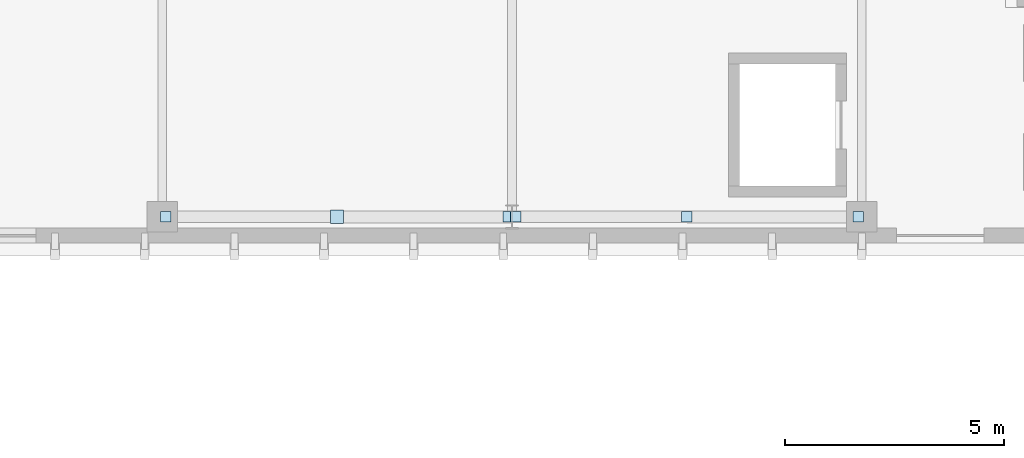
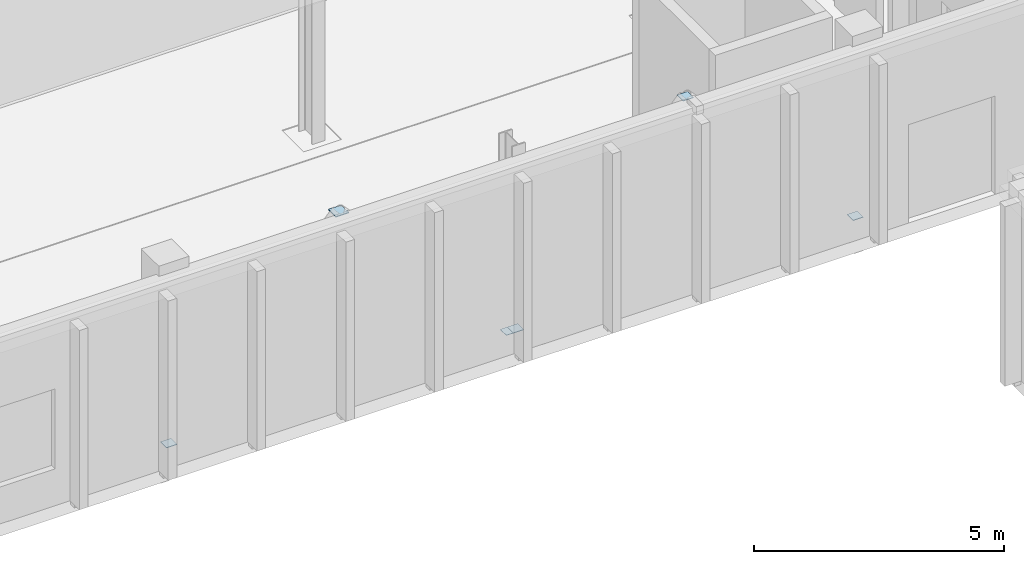
# One storey, part 17 of 60: 6 plates.
"""IFC4 building model written with IfcOpenShell, lengths in metres."""

from ifc_helpers import new_model, si_unit, direction, frame, origin, origin_2d, place, context, subcontext, project, spatial, rectangle, extrude, material, layer, layer_set, type_object, element, save


model = new_model("IFC4")

# Units and contexts
model_context = context("Model", 3, precision=1e-05, world=origin(), true_north=direction((0.0, 1.0)))
body_context = subcontext(model_context, "Body", "Model", "MODEL_VIEW")
ifc_project = project(units=[si_unit("LENGTHUNIT", "METRE"), si_unit("AREAUNIT", "SQUARE_METRE"), si_unit("VOLUMEUNIT", "CUBIC_METRE"), si_unit("PLANEANGLEUNIT", "RADIAN"), si_unit("MASSUNIT", "GRAM", prefix="KILO")], contexts=[model_context])

# Site, building, storey
site_placement = place(None, origin())
site = spatial("IfcSite", under=ifc_project, at=site_placement, CompositionType="ELEMENT")
building_placement = place(site_placement, origin())
building = spatial("IfcBuilding", under=site, at=building_placement, Name="Cymarion Research Institute", CompositionType="ELEMENT")
storey_placement = place(building_placement, origin())
storey = spatial("IfcBuildingStorey", under=building, at=storey_placement, Name="L00", CompositionType="ELEMENT", Elevation=0.0)

# Plates
ifc_material = material(Name="Steel S355", Category="steel")
ifc_layer_1 = layer(ifc_material, 0.01806640625)
ifc_layer_set_1 = layer_set([ifc_layer_1], Name="Steel S355")
plate_type_1 = type_object("IfcPlateType", Name="STEEL NODE GUSSET PLATE CP01 18MM", PredefinedType="USERDEFINED", material=ifc_layer_set_1)
plate_placement = place(storey_placement, frame((18.60009765625, 47.5, 4.40087890625), z_axis=(0.0, 0.0, 1.0), x_axis=(1.0, 0.0, 0.0)))
element("IfcPlate", 1, at=plate_placement, inside=storey, type_object=plate_type_1, Name="L00 V4 chevron apex gusset plate", ObjectType="GUSSET PLATE", PredefinedType="USERDEFINED", context=body_context, shape_type="SweptSolid", body=[
    extrude(rectangle(XDim=0.300048828125, YDim=0.300048828125, at=origin_2d()), origin(), (0.0, 0.0, 1.0), 0.01806640625),
])
ifc_layer_2 = layer(ifc_material, 0.011962890625)
ifc_layer_set_2 = layer_set([ifc_layer_2], Name="Steel S355")
plate_type_2 = type_object("IfcPlateType", Name="STEEL NODE GUSSET PLATE CP02 12MM", PredefinedType="USERDEFINED", material=ifc_layer_set_2)
for number, where, z_axis, x_axis, name in (
    (2, (14.681884765625, 47.5, 0.1142578125), (0.0, 0.0, 1.0), (1.0, 0.0, 0.0), "L00 V4 chevron base gusset plate #1"),
    (3, (22.518310546875, 47.5, 0.1142578125), (0.0, 0.0, 1.0), (1.0, 0.0, 0.0), "L00 V4 chevron base gusset plate #2"),
    (4, (26.60009765625, 47.5, 4.40380859375), (0.0, 0.0, 1.0), (1.0, 0.0, 0.0), "L00 V4 chevron apex gusset plate"),
    (5, (22.681884765625, 47.5, 0.1142578125), (0.0, 0.0, 1.0), (1.0, 0.0, 0.0), "L00 V4 chevron base gusset plate #1"),
    (6, (30.518310546875, 47.5, 0.1142578125), (0.0, 0.0, 1.0), (1.0, 0.0, 0.0), "L00 V4 chevron base gusset plate #2"),
):
    element("IfcPlate", number, at=place(storey_placement, frame(where, z_axis=z_axis, x_axis=x_axis)), inside=storey, type_object=plate_type_2, Name=name, ObjectType="GUSSET PLATE", PredefinedType="USERDEFINED", context=body_context, shape_type="SweptSolid", body=[
        extrude(rectangle(XDim=0.239990234375, YDim=0.239990234375, at=origin_2d()), origin(), (0.0, 0.0, 1.0), 0.011962890625),
    ])

save(model, "model.ifc")
